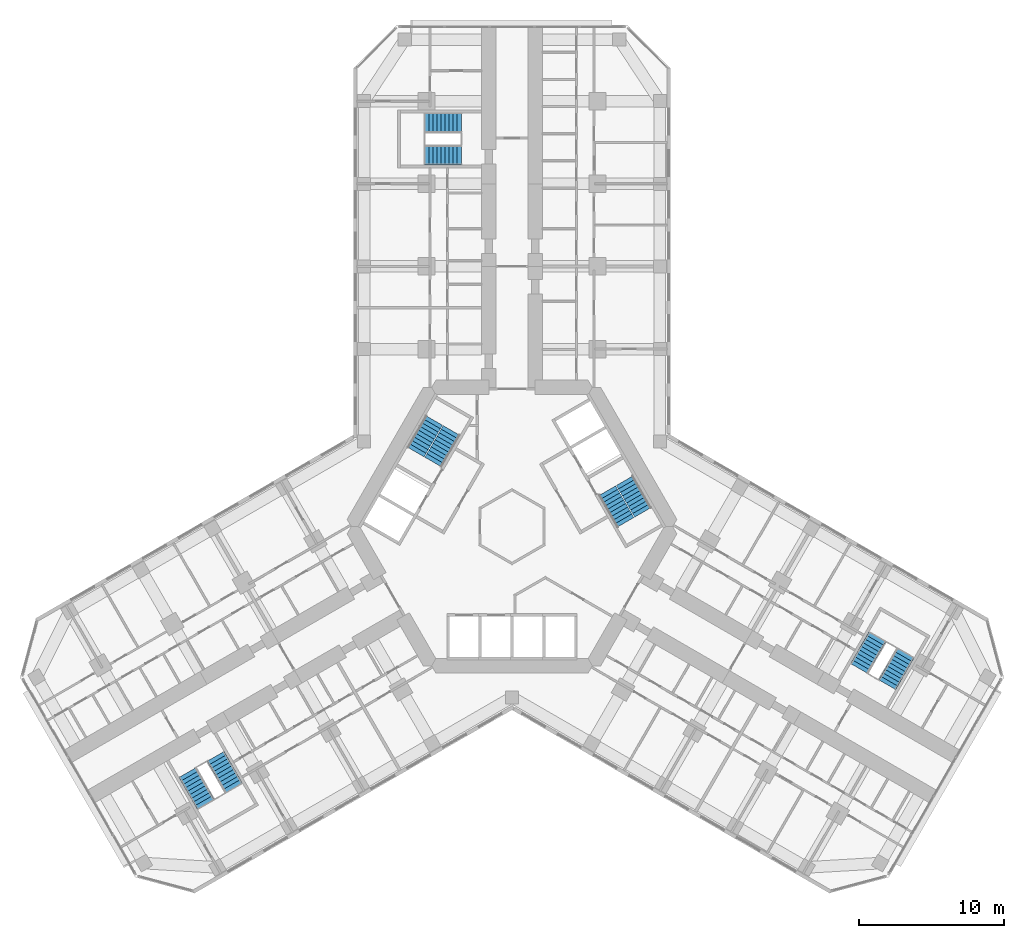
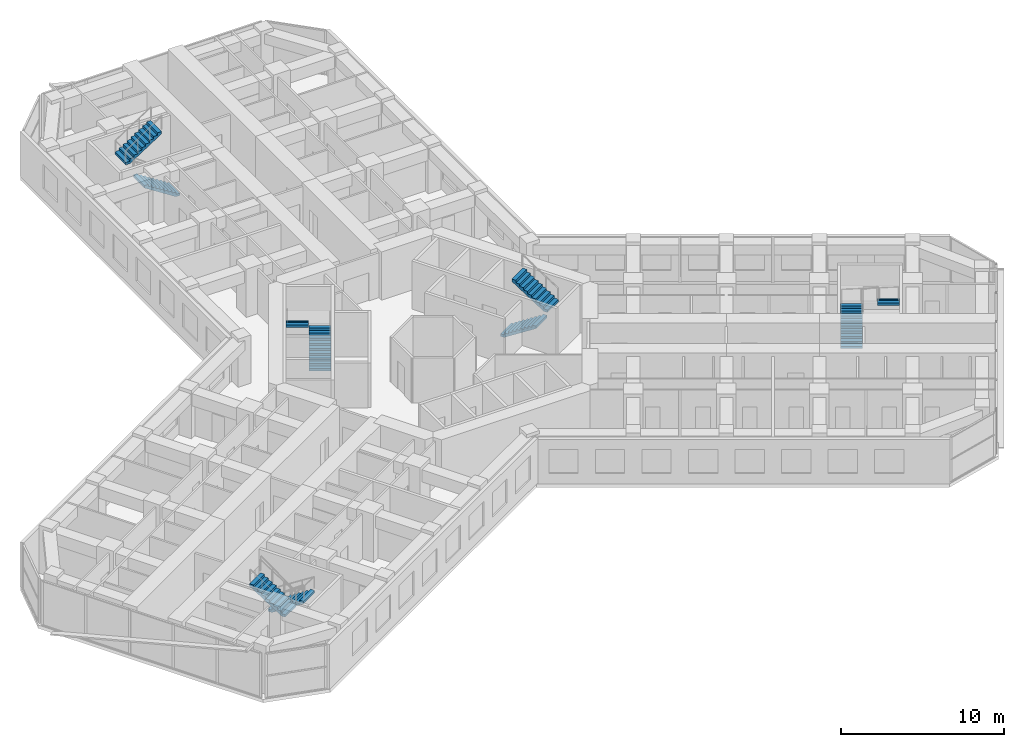
# One storey, part 20 of 21: 10 stair flights, 5 elements without a shape of their own.
"""IFC4 building model written with IfcOpenShell, lengths in metres."""

from ifc_helpers import new_model, si_unit, direction, frame, origin, place, context, subcontext, project, spatial, polyline, outline, extrude, material, type_object, element, aggregate, save


model = new_model("IFC4")

# Units and contexts
model_context = context("Model", 3, precision=1e-05, world=origin(), true_north=direction((0.0, 1.0)))
body_context = subcontext(model_context, "Body", "Model", "MODEL_VIEW")
ifc_project = project(units=[si_unit("LENGTHUNIT", "METRE"), si_unit("AREAUNIT", "SQUARE_METRE"), si_unit("VOLUMEUNIT", "CUBIC_METRE"), si_unit("PLANEANGLEUNIT", "RADIAN"), si_unit("MASSUNIT", "GRAM", prefix="KILO")], contexts=[model_context])

# Site, building, storey
site_placement = place(None, origin())
site = spatial("IfcSite", under=ifc_project, at=site_placement, CompositionType="ELEMENT")
building_placement = place(site_placement, origin())
building = spatial("IfcBuilding", under=site, at=building_placement, Name="Kosmar Iwan School Tower", CompositionType="ELEMENT")
storey_placement = place(building_placement, frame((0.0, 0.0, 106.0)))
storey = spatial("IfcBuildingStorey", under=building, at=storey_placement, Name="L26", CompositionType="ELEMENT", Elevation=106.0)

# Stair, stair flights
ifc_material_1 = material(Name="Concrete C35/45", Category="concrete")
stair_type_1 = type_object("IfcStairType", Name="Escape stair 3600", PredefinedType="HALF_TURN_STAIR", material=ifc_material_1)
stair_1_placement = place(storey_placement, origin())
stair_1 = element("IfcStair", 1, at=stair_1_placement, inside=storey, type_object=stair_type_1, Name="Stair WS1 L26", PredefinedType="HALF_TURN_STAIR")
ifc_material_2 = material(Name="Concrete C35/45", Category="concrete")
stair_flight_type_1 = type_object("IfcStairFlightType", Name="Escape stair flight 1350", PredefinedType="STRAIGHT", material=ifc_material_2)
stair_flight_1_placement = place(storey_placement, frame((-3.5, 25.625, 0.0), z_axis=(0.0, 0.0, 1.0), x_axis=(-1.0, 0.0, 0.0)))
stair_flight_1 = element("IfcStairFlight", 2, at=stair_flight_1_placement, type_object=stair_flight_type_1, Name="WS1 flight 1", NumberOfRisers=10, NumberOfTreads=9, PredefinedType="STRAIGHT", RiserHeight=0.18, TreadLength=0.28, context=body_context, shape_type="SweptSolid", body=[
    extrude(outline(polyline([(0.0, 0.0), (0.0, 0.179931640625), (0.280029296875, 0.179931640625), (0.280029296875, 0.360107421875), (0.56005859375, 0.360107421875), (0.56005859375, 0.5400390625), (0.840087890625, 0.5400390625), (0.840087890625, 0.719970703125), (1.1201171875, 0.719970703125), (1.1201171875, 0.89990234375), (1.39990234375, 0.89990234375), (1.39990234375, 1.080078125), (1.679931640625, 1.080078125), (1.679931640625, 1.260009765625), (1.9599609375, 1.260009765625), (1.9599609375, 1.43994140625), (2.239990234375, 1.43994140625), (2.239990234375, 1.6201171875), (2.52001953125, 1.6201171875), (2.52001953125, 1.800048828125), (2.52001953125, 1.44189453125), (0.277099609375, 0.0), (0.0, 0.0)])), frame((0.0, 0.675048828125, 0.0), z_axis=(0.0, -1.0, 0.0), x_axis=(1.0, 0.0, 0.0)), (0.0, 0.0, 1.0), 1.35009765625),
])
stair_flight_2_placement = place(storey_placement, frame((-6.02001953125, 27.875, 1.800048828125), z_axis=(0.0, 0.0, 1.0), x_axis=(1.0, 0.0, 0.0)))
stair_flight_2 = element("IfcStairFlight", 3, at=stair_flight_2_placement, type_object=stair_flight_type_1, Name="WS1 flight 2", NumberOfRisers=10, NumberOfTreads=9, PredefinedType="STRAIGHT", RiserHeight=0.18, TreadLength=0.28, context=body_context, shape_type="SweptSolid", body=[
    extrude(outline(polyline([(0.0, 0.0), (0.0, 0.179931640625), (0.280029296875, 0.179931640625), (0.280029296875, 0.360107421875), (0.56005859375, 0.360107421875), (0.56005859375, 0.5400390625), (0.840087890625, 0.5400390625), (0.840087890625, 0.719970703125), (1.1201171875, 0.719970703125), (1.1201171875, 0.89990234375), (1.39990234375, 0.89990234375), (1.39990234375, 1.080078125), (1.679931640625, 1.080078125), (1.679931640625, 1.260009765625), (1.9599609375, 1.260009765625), (1.9599609375, 1.43994140625), (2.239990234375, 1.43994140625), (2.239990234375, 1.6201171875), (2.52001953125, 1.6201171875), (2.52001953125, 1.800048828125), (2.52001953125, 1.44189453125), (0.277099609375, 0.0), (0.0, 0.0)])), frame((0.0, 0.675048828125, 0.0), z_axis=(0.0, -1.0, 0.0), x_axis=(1.0, 0.0, 0.0)), (0.0, 0.0, 1.0), 1.35009765625),
])
aggregate(stair_1, [stair_flight_1, stair_flight_2])

stair_2_placement = place(storey_placement, origin())
stair_2 = element("IfcStair", 4, at=stair_2_placement, inside=storey, type_object=stair_type_1, Name="Stair WS2 L26", PredefinedType="HALF_TURN_STAIR")
stair_flight_3_placement = place(storey_placement, frame((-20.44189453125, -15.843505859375, 0.0), z_axis=(0.0, 0.0, 1.0), x_axis=(0.5, -0.866025403784, 0.0)))
stair_flight_3 = element("IfcStairFlight", 5, at=stair_flight_3_placement, type_object=stair_flight_type_1, Name="WS2 flight 1", NumberOfRisers=10, NumberOfTreads=9, PredefinedType="STRAIGHT", RiserHeight=0.18, TreadLength=0.28, context=body_context, shape_type="SweptSolid", body=[
    extrude(outline(polyline([(0.0, 0.0), (0.0, 0.179931640625), (0.280029296875, 0.179931640625), (0.280029296875, 0.360107421875), (0.56005859375, 0.360107421875), (0.56005859375, 0.5400390625), (0.840087890625, 0.5400390625), (0.840087890625, 0.719970703125), (1.1201171875, 0.719970703125), (1.1201171875, 0.89990234375), (1.39990234375, 0.89990234375), (1.39990234375, 1.080078125), (1.679931640625, 1.080078125), (1.679931640625, 1.260009765625), (1.9599609375, 1.260009765625), (1.9599609375, 1.43994140625), (2.239990234375, 1.43994140625), (2.239990234375, 1.6201171875), (2.52001953125, 1.6201171875), (2.52001953125, 1.800048828125), (2.52001953125, 1.44189453125), (0.277099609375, 0.0), (0.0, 0.0)])), frame((0.0, 0.675048828125, 0.0), z_axis=(0.0, -1.0, 0.0), x_axis=(1.0, 0.0, 0.0)), (0.0, 0.0, 1.0), 1.35009765625),
])
stair_flight_4_placement = place(storey_placement, frame((-21.13037109375, -19.15087890625, 1.800048828125), z_axis=(0.0, 0.0, 1.0), x_axis=(-0.5, 0.866025403784, 0.0)))
stair_flight_4 = element("IfcStairFlight", 6, at=stair_flight_4_placement, type_object=stair_flight_type_1, Name="WS2 flight 2", NumberOfRisers=10, NumberOfTreads=9, PredefinedType="STRAIGHT", RiserHeight=0.18, TreadLength=0.28, context=body_context, shape_type="SweptSolid", body=[
    extrude(outline(polyline([(0.0, 0.0), (0.0, 0.179931640625), (0.280029296875, 0.179931640625), (0.280029296875, 0.360107421875), (0.56005859375, 0.360107421875), (0.56005859375, 0.5400390625), (0.840087890625, 0.5400390625), (0.840087890625, 0.719970703125), (1.1201171875, 0.719970703125), (1.1201171875, 0.89990234375), (1.39990234375, 0.89990234375), (1.39990234375, 1.080078125), (1.679931640625, 1.080078125), (1.679931640625, 1.260009765625), (1.9599609375, 1.260009765625), (1.9599609375, 1.43994140625), (2.239990234375, 1.43994140625), (2.239990234375, 1.6201171875), (2.52001953125, 1.6201171875), (2.52001953125, 1.800048828125), (2.52001953125, 1.44189453125), (0.277099609375, 0.0), (0.0, 0.0)])), frame((0.0, 0.675048828125, 0.0), z_axis=(0.0, -1.0, 0.0), x_axis=(1.0, 0.0, 0.0)), (0.0, 0.0, 1.0), 1.35009765625),
])
aggregate(stair_2, [stair_flight_3, stair_flight_4])

stair_3_placement = place(storey_placement, origin())
stair_3 = element("IfcStair", 7, at=stair_3_placement, inside=storey, type_object=stair_type_1, Name="Stair WS3 L26", PredefinedType="HALF_TURN_STAIR")
stair_flight_5_placement = place(storey_placement, frame((23.94189453125, -9.781494140625, 0.0), z_axis=(0.0, 0.0, 1.0), x_axis=(0.5, 0.866025403784, 0.0)))
stair_flight_5 = element("IfcStairFlight", 8, at=stair_flight_5_placement, type_object=stair_flight_type_1, Name="WS3 flight 1", NumberOfRisers=10, NumberOfTreads=9, PredefinedType="STRAIGHT", RiserHeight=0.18, TreadLength=0.28, context=body_context, shape_type="SweptSolid", body=[
    extrude(outline(polyline([(0.0, 0.0), (0.0, 0.179931640625), (0.280029296875, 0.179931640625), (0.280029296875, 0.360107421875), (0.56005859375, 0.360107421875), (0.56005859375, 0.5400390625), (0.840087890625, 0.5400390625), (0.840087890625, 0.719970703125), (1.1201171875, 0.719970703125), (1.1201171875, 0.89990234375), (1.39990234375, 0.89990234375), (1.39990234375, 1.080078125), (1.679931640625, 1.080078125), (1.679931640625, 1.260009765625), (1.9599609375, 1.260009765625), (1.9599609375, 1.43994140625), (2.239990234375, 1.43994140625), (2.239990234375, 1.6201171875), (2.52001953125, 1.6201171875), (2.52001953125, 1.800048828125), (2.52001953125, 1.44189453125), (0.277099609375, 0.0), (0.0, 0.0)])), frame((0.0, 0.675048828125, 0.0), z_axis=(0.0, -1.0, 0.0), x_axis=(1.0, 0.0, 0.0)), (0.0, 0.0, 1.0), 1.35009765625),
])
stair_flight_6_placement = place(storey_placement, frame((27.150390625, -8.72412109375, 1.800048828125), z_axis=(0.0, 0.0, 1.0), x_axis=(-0.5, -0.866025403784, 0.0)))
stair_flight_6 = element("IfcStairFlight", 9, at=stair_flight_6_placement, type_object=stair_flight_type_1, Name="WS3 flight 2", NumberOfRisers=10, NumberOfTreads=9, PredefinedType="STRAIGHT", RiserHeight=0.18, TreadLength=0.28, context=body_context, shape_type="SweptSolid", body=[
    extrude(outline(polyline([(0.0, 0.0), (0.0, 0.179931640625), (0.280029296875, 0.179931640625), (0.280029296875, 0.360107421875), (0.56005859375, 0.360107421875), (0.56005859375, 0.5400390625), (0.840087890625, 0.5400390625), (0.840087890625, 0.719970703125), (1.1201171875, 0.719970703125), (1.1201171875, 0.89990234375), (1.39990234375, 0.89990234375), (1.39990234375, 1.080078125), (1.679931640625, 1.080078125), (1.679931640625, 1.260009765625), (1.9599609375, 1.260009765625), (1.9599609375, 1.43994140625), (2.239990234375, 1.43994140625), (2.239990234375, 1.6201171875), (2.52001953125, 1.6201171875), (2.52001953125, 1.800048828125), (2.52001953125, 1.44189453125), (0.277099609375, 0.0), (0.0, 0.0)])), frame((0.0, 0.675048828125, 0.0), z_axis=(0.0, -1.0, 0.0), x_axis=(1.0, 0.0, 0.0)), (0.0, 0.0, 1.0), 1.35009765625),
])
aggregate(stair_3, [stair_flight_5, stair_flight_6])

ifc_material_3 = material(Name="Concrete C35/45", Category="concrete")
stair_type_2 = type_object("IfcStairType", Name="Core stair 2750", PredefinedType="HALF_TURN_STAIR", material=ifc_material_3)
stair_4_placement = place(storey_placement, origin())
stair_4 = element("IfcStair", 10, at=stair_4_placement, inside=storey, type_object=stair_type_2, Name="Stair ST2 L26", PredefinedType="HALF_TURN_STAIR")
ifc_material_4 = material(Name="Concrete C35/45", Category="concrete")
stair_flight_type_2 = type_object("IfcStairFlightType", Name="Stair flight 1350", PredefinedType="STRAIGHT", material=ifc_material_4)
stair_flight_7_placement = place(storey_placement, frame((-5.42724609375, 4.44970703125, 0.0), z_axis=(0.0, 0.0, 1.0), x_axis=(0.5, 0.866025403784, 0.0)))
stair_flight_7 = element("IfcStairFlight", 11, at=stair_flight_7_placement, type_object=stair_flight_type_2, Name="ST2 flight 1", NumberOfRisers=10, NumberOfTreads=9, PredefinedType="STRAIGHT", RiserHeight=0.18, TreadLength=0.28, context=body_context, shape_type="SweptSolid", body=[
    extrude(outline(polyline([(0.0, 0.0), (0.0, 0.179931640625), (0.280029296875, 0.179931640625), (0.280029296875, 0.360107421875), (0.56005859375, 0.360107421875), (0.56005859375, 0.5400390625), (0.840087890625, 0.5400390625), (0.840087890625, 0.719970703125), (1.1201171875, 0.719970703125), (1.1201171875, 0.89990234375), (1.39990234375, 0.89990234375), (1.39990234375, 1.080078125), (1.679931640625, 1.080078125), (1.679931640625, 1.260009765625), (1.9599609375, 1.260009765625), (1.9599609375, 1.43994140625), (2.239990234375, 1.43994140625), (2.239990234375, 1.6201171875), (2.52001953125, 1.6201171875), (2.52001953125, 1.800048828125), (2.52001953125, 1.44189453125), (0.277099609375, 0.0), (0.0, 0.0)])), frame((0.0, 0.675048828125, 0.0), z_axis=(0.0, -1.0, 0.0), x_axis=(1.0, 0.0, 0.0)), (0.0, 0.0, 1.0), 1.35009765625),
])
stair_flight_8_placement = place(storey_placement, frame((-5.379638671875, 7.33203125, 1.800048828125), z_axis=(0.0, 0.0, 1.0), x_axis=(-0.5, -0.866025403784, 0.0)))
stair_flight_8 = element("IfcStairFlight", 12, at=stair_flight_8_placement, type_object=stair_flight_type_2, Name="ST2 flight 2", NumberOfRisers=10, NumberOfTreads=9, PredefinedType="STRAIGHT", RiserHeight=0.18, TreadLength=0.28, context=body_context, shape_type="SweptSolid", body=[
    extrude(outline(polyline([(0.0, 0.0), (0.0, 0.179931640625), (0.280029296875, 0.179931640625), (0.280029296875, 0.360107421875), (0.56005859375, 0.360107421875), (0.56005859375, 0.5400390625), (0.840087890625, 0.5400390625), (0.840087890625, 0.719970703125), (1.1201171875, 0.719970703125), (1.1201171875, 0.89990234375), (1.39990234375, 0.89990234375), (1.39990234375, 1.080078125), (1.679931640625, 1.080078125), (1.679931640625, 1.260009765625), (1.9599609375, 1.260009765625), (1.9599609375, 1.43994140625), (2.239990234375, 1.43994140625), (2.239990234375, 1.6201171875), (2.52001953125, 1.6201171875), (2.52001953125, 1.800048828125), (2.52001953125, 1.44189453125), (0.277099609375, 0.0), (0.0, 0.0)])), frame((0.0, 0.675048828125, 0.0), z_axis=(0.0, -1.0, 0.0), x_axis=(1.0, 0.0, 0.0)), (0.0, 0.0, 1.0), 1.35009765625),
])
aggregate(stair_4, [stair_flight_7, stair_flight_8])

stair_5_placement = place(storey_placement, origin())
stair_5 = element("IfcStair", 13, at=stair_5_placement, inside=storey, type_object=stair_type_2, Name="Stair ST1 L26", PredefinedType="HALF_TURN_STAIR")
stair_flight_9_placement = place(storey_placement, frame((6.567138671875, 2.475341796875, 0.0), z_axis=(0.0, 0.0, 1.0), x_axis=(0.5, -0.866025403784, 0.0)))
stair_flight_9 = element("IfcStairFlight", 14, at=stair_flight_9_placement, type_object=stair_flight_type_2, Name="ST1 flight 1", NumberOfRisers=10, NumberOfTreads=9, PredefinedType="STRAIGHT", RiserHeight=0.18, TreadLength=0.28, context=body_context, shape_type="SweptSolid", body=[
    extrude(outline(polyline([(0.0, 0.0), (0.0, 0.179931640625), (0.280029296875, 0.179931640625), (0.280029296875, 0.360107421875), (0.56005859375, 0.360107421875), (0.56005859375, 0.5400390625), (0.840087890625, 0.5400390625), (0.840087890625, 0.719970703125), (1.1201171875, 0.719970703125), (1.1201171875, 0.89990234375), (1.39990234375, 0.89990234375), (1.39990234375, 1.080078125), (1.679931640625, 1.080078125), (1.679931640625, 1.260009765625), (1.9599609375, 1.260009765625), (1.9599609375, 1.43994140625), (2.239990234375, 1.43994140625), (2.239990234375, 1.6201171875), (2.52001953125, 1.6201171875), (2.52001953125, 1.800048828125), (2.52001953125, 1.44189453125), (0.277099609375, 0.0), (0.0, 0.0)])), frame((0.0, 0.675048828125, 0.0), z_axis=(0.0, -1.0, 0.0), x_axis=(1.0, 0.0, 0.0)), (0.0, 0.0, 1.0), 1.35009765625),
])
stair_flight_10_placement = place(storey_placement, frame((9.03955078125, 0.992919921875, 1.800048828125), z_axis=(0.0, 0.0, 1.0), x_axis=(-0.5, 0.866025403784, 0.0)))
stair_flight_10 = element("IfcStairFlight", 15, at=stair_flight_10_placement, type_object=stair_flight_type_2, Name="ST1 flight 2", NumberOfRisers=10, NumberOfTreads=9, PredefinedType="STRAIGHT", RiserHeight=0.18, TreadLength=0.28, context=body_context, shape_type="SweptSolid", body=[
    extrude(outline(polyline([(0.0, 0.0), (0.0, 0.179931640625), (0.280029296875, 0.179931640625), (0.280029296875, 0.360107421875), (0.56005859375, 0.360107421875), (0.56005859375, 0.5400390625), (0.840087890625, 0.5400390625), (0.840087890625, 0.719970703125), (1.1201171875, 0.719970703125), (1.1201171875, 0.89990234375), (1.39990234375, 0.89990234375), (1.39990234375, 1.080078125), (1.679931640625, 1.080078125), (1.679931640625, 1.260009765625), (1.9599609375, 1.260009765625), (1.9599609375, 1.43994140625), (2.239990234375, 1.43994140625), (2.239990234375, 1.6201171875), (2.52001953125, 1.6201171875), (2.52001953125, 1.800048828125), (2.52001953125, 1.44189453125), (0.277099609375, 0.0), (0.0, 0.0)])), frame((0.0, 0.675048828125, 0.0), z_axis=(0.0, -1.0, 0.0), x_axis=(1.0, 0.0, 0.0)), (0.0, 0.0, 1.0), 1.35009765625),
])
aggregate(stair_5, [stair_flight_9, stair_flight_10])

save(model, "model.ifc")
